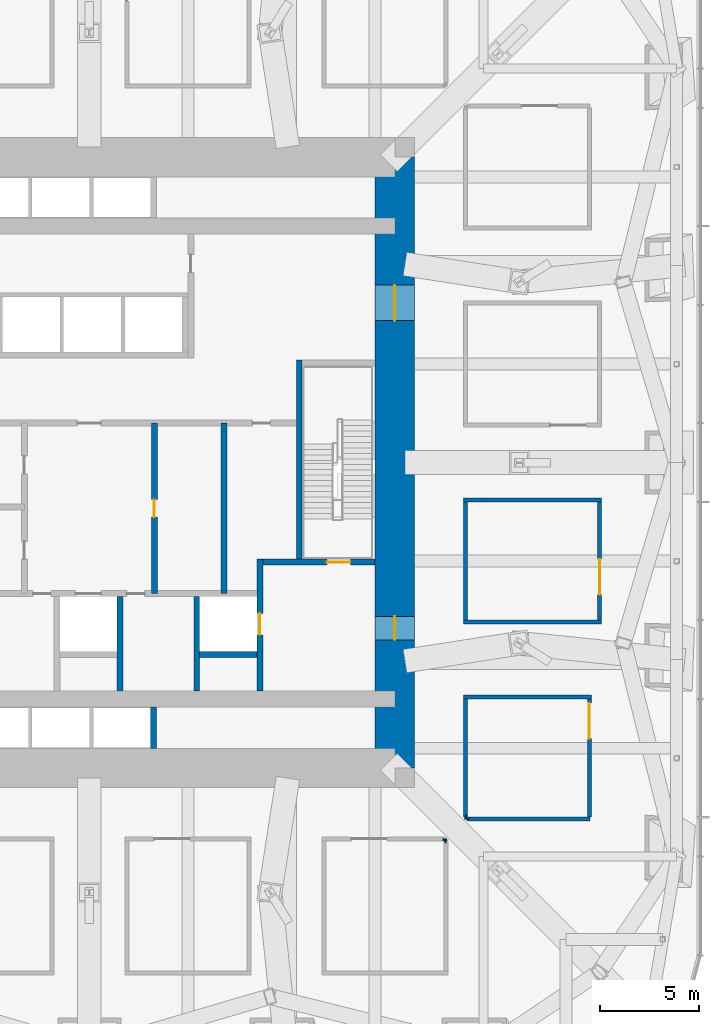
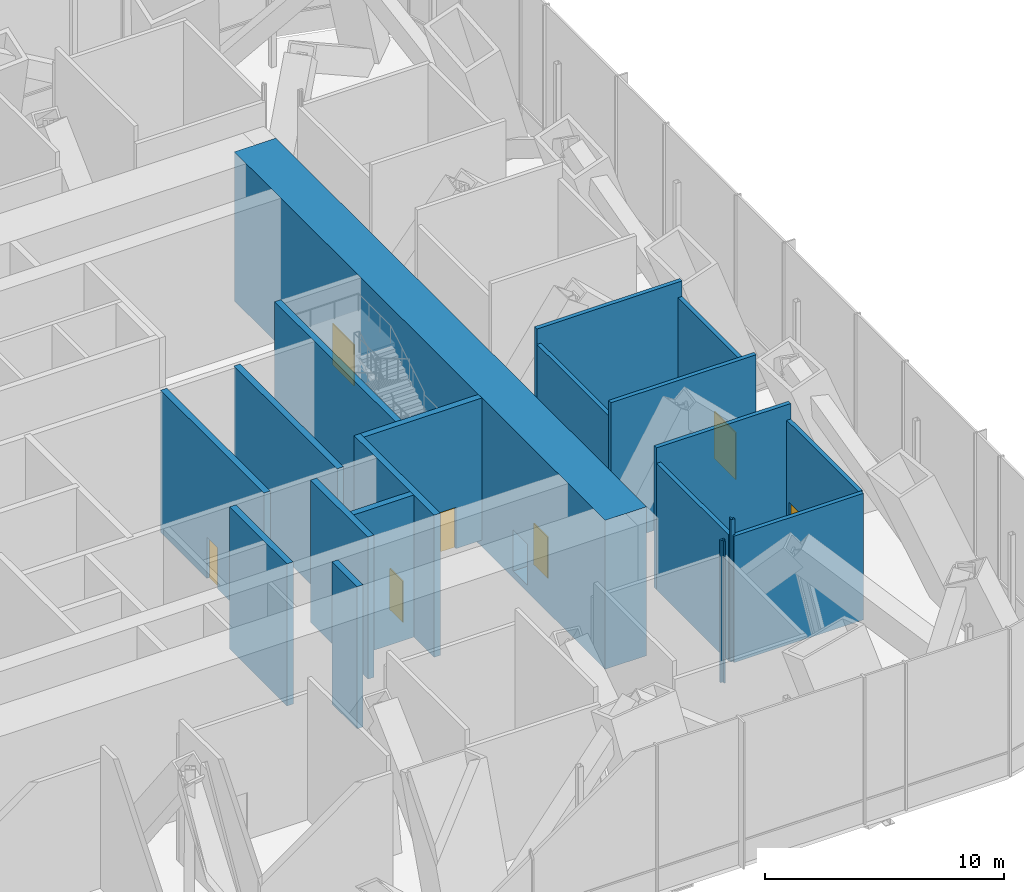
# One storey, part 14 of 20: 22 walls, 7 doors, 7 openings.
"""IFC4 building model written with IfcOpenShell, lengths in metres."""

import ifcopenshell
import ifcopenshell.guid

model = None  # the IFC model being written
_history = None  # IfcOwnerHistory: only IFC2X3 demands one
_inside = {}  # id of a spatial element -> (the spatial element, [elements in it])
_under = {}  # id of a project, library or spatial element -> (it, [spatial elements below it])
_declared = {}  # id of a project -> (the project, [libraries it declares])
_typed = {}  # id of a type object -> (the type object, [elements of that type])
_made_of = {}  # id of a material, layer set ... -> (it, [elements and type objects made of it])


def new_model(schema):
    """Start an empty IFC model of exactly this schema.

    Asked for "IFC4X3", IfcOpenShell would pick the latest addendum, in which some entities
    have other attributes; the version numbers below select the first issue.
    IFC2X3 requires an IfcOwnerHistory on every rooted entity: one is made here for all.
    """
    global model, _history
    if schema == "IFC4X3":
        model = ifcopenshell.file(schema_version=(4, 3, 0, 0))
    else:
        model = ifcopenshell.file(schema=schema)
    _inside.clear()
    _under.clear()
    _declared.clear()
    _typed.clear()
    _made_of.clear()
    _history = None
    if model.schema == "IFC2X3":
        org = make("IfcOrganization", Name="unknown")
        user = make(
            "IfcPersonAndOrganization",
            ThePerson=make("IfcPerson", FamilyName="unknown"),
            TheOrganization=org,
        )
        app = make(
            "IfcApplication",
            ApplicationDeveloper=org,
            Version="unknown",
            ApplicationFullName="unknown",
            ApplicationIdentifier="unknown",
        )
        _history = make(
            "IfcOwnerHistory",
            OwningUser=user,
            OwningApplication=app,
            ChangeAction="ADDED",
            CreationDate=0,
        )
    return model


def make(cls, **values):
    """One entity of the class cls with the attributes given. An attribute that is None is left unset."""
    return model.create_entity(
        cls, **{name: value for name, value in values.items() if value is not None}
    )


def rooted(cls, **values):
    """An entity with a GlobalId (a new one), such as an element, a storey or a relation."""
    return make(cls, GlobalId=ifcopenshell.guid.new(), OwnerHistory=_history, **values)


def si_unit(unit_type, name, prefix=None):
    """IfcSIUnit, for example si_unit("LENGTHUNIT", "METRE", prefix="MILLI")."""
    return make("IfcSIUnit", UnitType=unit_type, Prefix=prefix, Name=name)


def assignment(units):
    """IfcUnitAssignment: the units of a project."""
    return None if units is None else make("IfcUnitAssignment", Units=units)


def point(xyz):
    """IfcCartesianPoint."""
    return None if xyz is None else make("IfcCartesianPoint", Coordinates=xyz)


def direction(xyz):
    """IfcDirection."""
    return None if xyz is None else make("IfcDirection", DirectionRatios=xyz)


def frame(location, z_axis=None, x_axis=None):
    """IfcAxis2Placement3D, a coordinate frame: its origin and axes. An axis left out is left unset."""
    return make(
        "IfcAxis2Placement3D",
        Location=point(location),
        Axis=direction(z_axis),
        RefDirection=direction(x_axis),
    )


def frame_2d(location, x_axis=None):
    """IfcAxis2Placement2D, a coordinate frame in the plane: its origin and x axis."""
    return make(
        "IfcAxis2Placement2D", Location=point(location), RefDirection=direction(x_axis)
    )


def origin():
    """The frame at (0, 0, 0) with its axes left unset."""
    return frame((0.0, 0.0, 0.0))


def place(relative_to, where):
    """IfcLocalPlacement: puts the frame where relative to a parent placement (None: the world)."""
    return make(
        "IfcLocalPlacement", PlacementRelTo=relative_to, RelativePlacement=where
    )


def context(
    kind, dimensions, precision=None, world=None, true_north=None, identifier=None
):
    """IfcGeometricRepresentationContext, for example the 3D "Model" context."""
    return make(
        "IfcGeometricRepresentationContext",
        ContextIdentifier=identifier,
        ContextType=kind,
        CoordinateSpaceDimension=dimensions,
        Precision=precision,
        WorldCoordinateSystem=world,
        TrueNorth=true_north,
    )


def subcontext(parent, identifier, kind, view, scale=None):
    """IfcGeometricRepresentationSubContext, for example "Body" below "Model"."""
    return make(
        "IfcGeometricRepresentationSubContext",
        ContextIdentifier=identifier,
        ContextType=kind,
        ParentContext=parent,
        TargetScale=scale,
        TargetView=view,
    )


def project(units=None, contexts=None):
    """IfcProject with its units and contexts."""
    return rooted(
        "IfcProject",
        Name="project",
        RepresentationContexts=contexts,
        UnitsInContext=assignment(units),
    )


def spatial(cls, under=None, at=None, **own):
    """A site, building, storey or space (cls), placed at a placement, below another one or the project."""
    s = rooted(cls, ObjectPlacement=at, **own)
    if under is not None:
        _under.setdefault(under.id(), (under, []))[1].append(s)
    return s


def profile(cls, at=None, kind="AREA", **sizes):
    """A parametric profile (cls). Its sizes go by their IFC names, for example OverallWidth=200.0."""
    return make(cls, ProfileType=kind, Position=at, **sizes)


def rectangle(**sizes):
    """IfcRectangleProfileDef."""
    return profile("IfcRectangleProfileDef", **sizes)


def extrude(swept, where, along, depth):
    """IfcExtrudedAreaSolid: the profile swept, set in the frame where, extruded along a direction by depth."""
    return make(
        "IfcExtrudedAreaSolid",
        SweptArea=swept,
        Position=where,
        ExtrudedDirection=direction(along),
        Depth=depth,
    )


def shape(context_of_items, identifier, shape_type, items):
    """IfcShapeRepresentation: the items that make up one representation, for example the "Body"."""
    return make(
        "IfcShapeRepresentation",
        ContextOfItems=context_of_items,
        RepresentationIdentifier=identifier,
        RepresentationType=shape_type,
        Items=items,
    )


def material(Name=None, Category=None):
    """IfcMaterial."""
    return make("IfcMaterial", Name=Name, Category=Category)


def layer(
    of_material, thickness, ventilated=None, Name=None, Category=None, Priority=None
):
    """IfcMaterialLayer: one layer of a wall or slab, of a material (None: an air gap)."""
    return make(
        "IfcMaterialLayer",
        Material=of_material,
        LayerThickness=thickness,
        IsVentilated=ventilated,
        Name=Name,
        Category=Category,
        Priority=Priority,
    )


def layer_set(layers, Name=None):
    """IfcMaterialLayerSet."""
    return make("IfcMaterialLayerSet", MaterialLayers=layers, LayerSetName=Name)


def made_of(thing, what):
    """Note that an element or type object is made of a material, layer set ...; save() writes the relation."""
    if what is not None:
        _made_of.setdefault(what.id(), (what, []))[1].append(thing)
    return thing


def type_object(cls, material=None, **own):
    """A type object (cls), such as IfcWallType, which elements share."""
    return made_of(rooted(cls, **own), material)


def element(
    cls,
    number,
    at=None,
    inside=None,
    cuts=None,
    type_object=None,
    material=None,
    context=None,
    identifier="Body",
    shape_type=None,
    held_by="IfcProductDefinitionShape",
    body=None,
    shapes=None,
    **own,
):
    """One element of the class cls, such as IfcWall. Its Tag is "e" and its number.

    at: its placement. inside: the storey or other place that contains it. cuts: it is an
    opening in that element (IfcRelVoidsElement). A single representation is given by context,
    identifier, shape_type and body (its items); several are given by shapes. held_by: the class
    of the entity that holds the representations. save() writes the other relations.
    """
    e = rooted(cls, Tag="e%d" % number, ObjectPlacement=at, **own)
    if body is not None:
        shapes = [shape(context, identifier, shape_type, body)]
    if shapes is not None:
        e.Representation = make(held_by, Representations=shapes)
    if inside is not None:
        _inside.setdefault(inside.id(), (inside, []))[1].append(e)
    if cuts is not None:
        rooted(
            "IfcRelVoidsElement", RelatingBuildingElement=cuts, RelatedOpeningElement=e
        )
    if type_object is not None:
        _typed.setdefault(type_object.id(), (type_object, []))[1].append(e)
    return made_of(e, material)


def fill(opening, filler):
    """IfcRelFillsElement: the door or window that sits in an opening."""
    return rooted(
        "IfcRelFillsElement",
        RelatingOpeningElement=opening,
        RelatedBuildingElement=filler,
    )


def aggregate(whole, parts):
    """IfcRelAggregates: a whole, such as a stair, and the parts it consists of."""
    return rooted("IfcRelAggregates", RelatingObject=whole, RelatedObjects=parts)


def save(model, path):
    """Write the relations noted so far, then the file.

    IfcRelAggregates (storeys below a building ...), IfcRelContainedInSpatialStructure (elements
    in a storey), IfcRelDefinesByType, IfcRelAssociatesMaterial and IfcRelDeclares: one each for
    every whole, place, type object, material and project.
    """
    for whole, parts in _under.values():
        aggregate(whole, parts)
    for where, things in _inside.values():
        rooted(
            "IfcRelContainedInSpatialStructure",
            RelatedElements=things,
            RelatingStructure=where,
        )
    for kind, things in _typed.values():
        rooted("IfcRelDefinesByType", RelatedObjects=things, RelatingType=kind)
    for what, things in _made_of.values():
        rooted("IfcRelAssociatesMaterial", RelatedObjects=things, RelatingMaterial=what)
    for by, libraries in _declared.values():
        rooted("IfcRelDeclares", RelatingContext=by, RelatedDefinitions=libraries)
    model.write(path)


model = new_model("IFC4")

# Units and contexts
model_context = context("Model", 3, precision=1e-05, world=origin(), true_north=direction((0.0, 1.0)))
body_context = subcontext(model_context, "Body", "Model", "MODEL_VIEW")
ifc_project = project(units=[si_unit("LENGTHUNIT", "METRE"), si_unit("AREAUNIT", "SQUARE_METRE"), si_unit("VOLUMEUNIT", "CUBIC_METRE"), si_unit("PLANEANGLEUNIT", "RADIAN"), si_unit("MASSUNIT", "GRAM", prefix="KILO")], contexts=[model_context])

# Site, building, storey
site_placement = place(None, origin())
site = spatial("IfcSite", under=ifc_project, at=site_placement, CompositionType="ELEMENT")
building_placement = place(site_placement, origin())
building = spatial("IfcBuilding", under=site, at=building_placement, Name="Khuree Lantern Residences", CompositionType="ELEMENT")
storey_placement = place(building_placement, frame((0.0, 0.0, 99.75)))
storey = spatial("IfcBuildingStorey", under=building, at=storey_placement, Name="L25", CompositionType="ELEMENT", Elevation=99.75)

# Wall, opening, door
ifc_material_1 = material(Name="Dense concrete blockwork", Category="masonry")
ifc_layer_1 = layer(ifc_material_1, 0.300048828125)
ifc_layer_set_1 = layer_set([ifc_layer_1], Name="CORE PARTITION WALL CPW300 EI 120")
wall_type_1 = type_object("IfcWallType", Name="CORE PARTITION WALL CPW300 EI 120", PredefinedType="PARTITIONING", material=ifc_layer_set_1)
wall_1_placement = place(storey_placement, frame((8.64990234375, -11.60009765625, 0.0), z_axis=(0.0, 0.0, 1.0), x_axis=(0.0, 1.0, 0.0)))
wall_1 = element("IfcWall", 1, at=wall_1_placement, inside=storey, type_object=wall_type_1, Name="L25 CORE WALL FL2E", PredefinedType="PARTITIONING", context=body_context, shape_type="SweptSolid", body=[
    extrude(rectangle(XDim=6.7001953125, YDim=0.300048828125, at=frame_2d((3.35009765625, 0.0))), origin(), (0.0, 0.0, 1.0), 7.25),
])
opening_1_placement = place(wall_1_placement, frame((2.85009765625, 0.0, 0.0)))
opening_1 = element("IfcOpeningElement", 2, at=opening_1_placement, cuts=wall_1, Name="Opening 25-008", PredefinedType="OPENING", context=body_context, shape_type="SweptSolid", body=[
    extrude(rectangle(XDim=1.10009765625, YDim=2.10009765625, at=frame_2d((0.550048828125, 1.050048828125))), frame((0.0, 0.16015625, 0.0), z_axis=(0.0, -1.0, 0.0), x_axis=(1.0, 0.0, 0.0)), (0.0, 0.0, 1.0), 0.320068359375),
])
ifc_material_2 = material(Name="Stainless steel lift landing door", Category="steel")
door_type_1 = type_object("IfcDoorType", Name="LIFT LANDING DOOR 1100X2100 E 120", OperationType="DOUBLE_DOOR_SLIDING", PredefinedType="DOOR", material=ifc_material_2)
door_1_placement = place(opening_1_placement, origin())
door_1 = element("IfcDoor", 3, at=door_1_placement, inside=storey, type_object=door_type_1, Name="Landing door FL2 25-008", OperationType="DOUBLE_DOOR_SLIDING", OverallHeight=2.10009765625, OverallWidth=1.10009765625, PredefinedType="DOOR", context=body_context, shape_type="SweptSolid", body=[
    extrude(rectangle(XDim=1.10009765625, YDim=2.10009765625, at=frame_2d((0.550048828125, 1.050048828125))), frame((0.0, 0.02490234375, 0.0), z_axis=(0.0, -1.0, 0.0), x_axis=(1.0, 0.0, 0.0)), (0.0, 0.0, 1.0), 0.050048828125),
])
fill(opening_1, door_1)

# Walls
for number, where, z_axis, x_axis, name in (
    (4, (1.550048828125, -11.60009765625, 0.0), (0.0, 0.0, 1.0), (0.0, 1.0, 0.0), "L25 CORE WALL SL1E"),
    (5, (5.449951171875, -11.60009765625, 0.0), (0.0, 0.0, 1.0), (0.0, 1.0, 0.0), "L25 CORE WALL FL2W"),
):
    element("IfcWall", number, at=place(storey_placement, frame(where, z_axis=z_axis, x_axis=x_axis)), inside=storey, type_object=wall_type_1, Name=name, PredefinedType="PARTITIONING", context=body_context, shape_type="SweptSolid", body=[
        extrude(rectangle(XDim=4.800048828125, YDim=0.300048828125, at=frame_2d((2.39990234375, 0.0))), origin(), (0.0, 0.0, 1.0), 7.25),
    ])
wall_2_placement = place(storey_placement, frame((5.60009765625, -9.75, 0.0), z_axis=(0.0, 0.0, 1.0), x_axis=(1.0, 0.0, 0.0)))
element("IfcWall", 6, at=wall_2_placement, inside=storey, type_object=wall_type_1, Name="L25 CORE WALL FL2S", PredefinedType="PARTITIONING", context=body_context, shape_type="SweptSolid", body=[
    extrude(rectangle(XDim=2.89990234375, YDim=0.300048828125, at=frame_2d((1.449951171875, 0.0))), origin(), (0.0, 0.0, 1.0), 7.25),
])
wall_3_placement = place(storey_placement, frame((3.25, -14.5, 0.0), z_axis=(0.0, 0.0, 1.0), x_axis=(0.0, 1.0, 0.0)))
element("IfcWall", 7, at=wall_3_placement, inside=storey, type_object=wall_type_1, Name="L25 CORE WALL PME", PredefinedType="PARTITIONING", context=body_context, shape_type="SweptSolid", body=[
    extrude(rectangle(XDim=2.10009765625, YDim=0.300048828125, at=frame_2d((1.050048828125, 0.0))), origin(), (0.0, 0.0, 1.0), 7.25),
])

# Wall, opening, door
wall_4_placement = place(storey_placement, frame((3.300048828125, -6.64990234375, 0.0), z_axis=(0.0, 0.0, 1.0), x_axis=(0.0, 1.0, 0.0)))
wall_4 = element("IfcWall", 8, at=wall_4_placement, inside=storey, type_object=wall_type_1, Name="L25 CORE WALL SVE", PredefinedType="PARTITIONING", context=body_context, shape_type="SweptSolid", body=[
    extrude(rectangle(XDim=8.64990234375, YDim=0.300048828125, at=frame_2d((4.324951171875, 0.0))), origin(), (0.0, 0.0, 1.0), 7.25),
])
opening_2_placement = place(wall_4_placement, frame((3.875, 0.0, 0.0)))
opening_2 = element("IfcOpeningElement", 9, at=opening_2_placement, cuts=wall_4, Name="Opening 25-015", PredefinedType="OPENING", context=body_context, shape_type="SweptSolid", body=[
    extrude(rectangle(XDim=0.89990234375, YDim=2.10009765625, at=frame_2d((0.449951171875, 1.050048828125))), frame((0.0, 0.16015625, 0.0), z_axis=(0.0, -1.0, 0.0), x_axis=(1.0, 0.0, 0.0)), (0.0, 0.0, 1.0), 0.320068359375),
])
ifc_material_3 = material(Name="Timber door leaf in hardwood frame", Category="wood")
door_type_2 = type_object("IfcDoorType", Name="DOOR 900X2100", OperationType="SINGLE_SWING_LEFT", PredefinedType="DOOR", material=ifc_material_3)
door_2_placement = place(opening_2_placement, origin())
door_2 = element("IfcDoor", 10, at=door_2_placement, inside=storey, type_object=door_type_2, Name="Store door 25-015", OperationType="SINGLE_SWING_LEFT", OverallHeight=2.10009765625, OverallWidth=0.89990234375, PredefinedType="DOOR", context=body_context, shape_type="SweptSolid", body=[
    extrude(rectangle(XDim=0.89990234375, YDim=2.10009765625, at=frame_2d((0.449951171875, 1.050048828125))), frame((0.0, 0.02490234375, 0.0), z_axis=(0.0, -1.0, 0.0), x_axis=(1.0, 0.0, 0.0)), (0.0, 0.0, 1.0), 0.050048828125),
])
fill(opening_2, door_2)

# Wall
wall_5_placement = place(storey_placement, frame((6.833984375, -6.64990234375, 0.0), z_axis=(0.0, 0.0, 1.0), x_axis=(0.0, 1.0, 0.0)))
element("IfcWall", 11, at=wall_5_placement, inside=storey, type_object=wall_type_1, Name="L25 CORE WALL EV", PredefinedType="PARTITIONING", context=body_context, shape_type="SweptSolid", body=[
    extrude(rectangle(XDim=8.64990234375, YDim=0.300048828125, at=frame_2d((4.324951171875, 0.0))), origin(), (0.0, 0.0, 1.0), 7.25),
])

# Wall, openings, doors
ifc_material_4 = material(Name="Concrete C70/85", Category="concrete")
ifc_layer_2 = layer(ifc_material_4, 2.0)
ifc_layer_set_2 = layer_set([ifc_layer_2], Name="CW2000-C70 CORE WALL C70 2000")
wall_type_2 = type_object("IfcWallType", Name="CW2000-C70 CORE WALL C70 2000", PredefinedType="SHEAR", material=ifc_layer_set_2)
wall_6_placement = place(storey_placement, frame((15.5, -15.5, -0.35009765625), z_axis=(0.0, 0.0, 1.0), x_axis=(0.0, 1.0, 0.0)))
wall_6 = element("IfcWall", 12, at=wall_6_placement, inside=storey, type_object=wall_type_2, Name="Core wall E", PredefinedType="SHEAR", context=body_context, shape_type="SweptSolid", body=[
    extrude(rectangle(XDim=31.0, YDim=2.0, at=frame_2d((15.5, 0.0))), origin(), (0.0, 0.0, 1.0), 7.60009765625),
])
opening_3_placement = place(wall_6_placement, frame((6.5, 0.0, 0.35009765625)))
opening_3 = element("IfcOpeningElement", 13, at=opening_3_placement, cuts=wall_6, Name="Opening 25-005", PredefinedType="OPENING", context=body_context, shape_type="SweptSolid", body=[
    extrude(rectangle(XDim=1.199951171875, YDim=2.10009765625, at=frame_2d((0.60009765625, 1.050048828125))), frame((0.0, 1.010009765625, 0.0), z_axis=(0.0, -1.0, 0.0), x_axis=(1.0, 0.0, 0.0)), (0.0, 0.0, 1.0), 2.02001953125),
])
opening_4_placement = place(wall_6_placement, frame((22.699951171875, 0.0, 0.35009765625)))
opening_4 = element("IfcOpeningElement", 14, at=opening_4_placement, cuts=wall_6, Name="Opening 25-006", PredefinedType="OPENING", context=body_context, shape_type="SweptSolid", body=[
    extrude(rectangle(XDim=1.800048828125, YDim=2.10009765625, at=frame_2d((0.89990234375, 1.050048828125))), frame((0.0, 1.010009765625, 0.0), z_axis=(0.0, -1.0, 0.0), x_axis=(1.0, 0.0, 0.0)), (0.0, 0.0, 1.0), 2.02001953125),
])
ifc_material_5 = material(Name="Steel door leaf in steel frame", Category="steel")
door_type_3 = type_object("IfcDoorType", Name="LOBBY DOOR 1200X2100 EI 120", OperationType="SINGLE_SWING_LEFT", PredefinedType="DOOR", material=ifc_material_5)
door_3_placement = place(opening_3_placement, origin())
door_3 = element("IfcDoor", 15, at=door_3_placement, inside=storey, type_object=door_type_3, Name="Firefighting lobby door 25-005", OperationType="SINGLE_SWING_LEFT", OverallHeight=2.10009765625, OverallWidth=1.199951171875, PredefinedType="DOOR", context=body_context, shape_type="SweptSolid", body=[
    extrude(rectangle(XDim=1.199951171875, YDim=2.10009765625, at=frame_2d((0.60009765625, 1.050048828125))), frame((0.0, 0.02490234375, 0.0), z_axis=(0.0, -1.0, 0.0), x_axis=(1.0, 0.0, 0.0)), (0.0, 0.0, 1.0), 0.050048828125),
])
fill(opening_3, door_3)
door_type_4 = type_object("IfcDoorType", Name="LOBBY DOUBLE DOOR 1800X2100 EI 60", OperationType="DOUBLE_DOOR_SINGLE_SWING", PredefinedType="DOOR", material=ifc_material_5)
door_4_placement = place(opening_4_placement, origin())
door_4 = element("IfcDoor", 16, at=door_4_placement, inside=storey, type_object=door_type_4, Name="Lift lobby door 25-006", OperationType="DOUBLE_DOOR_SINGLE_SWING", OverallHeight=2.10009765625, OverallWidth=1.800048828125, PredefinedType="DOOR", context=body_context, shape_type="SweptSolid", body=[
    extrude(rectangle(XDim=1.800048828125, YDim=2.10009765625, at=frame_2d((0.89990234375, 1.050048828125))), frame((0.0, 0.02490234375, 0.0), z_axis=(0.0, -1.0, 0.0), x_axis=(1.0, 0.0, 0.0)), (0.0, 0.0, 1.0), 0.050048828125),
])
fill(opening_4, door_4)

# Walls
ifc_layer_3 = layer(ifc_material_1, 0.199951171875)
ifc_layer_set_3 = layer_set([ifc_layer_3], Name="FIRE-RATED ROOM WALL FRW200 EI 120")
wall_type_3 = type_object("IfcWallType", Name="FIRE-RATED ROOM WALL FRW200 EI 120", PredefinedType="SOLIDWALL", material=ifc_layer_set_3)
wall_7_placement = place(storey_placement, frame((18.039306640625, -19.199951171875, 0.0), z_axis=(0.0, 0.0, 1.0), x_axis=(1.0, 0.0, 0.0)))
element("IfcWall", 17, at=wall_7_placement, inside=storey, type_object=wall_type_3, Name="L25 ROOM WALL 14", PredefinedType="SOLIDWALL", context=body_context, shape_type="SweptSolid", body=[
    extrude(rectangle(XDim=0.060791015625, YDim=0.199951171875, at=frame_2d((0.0302734375, 0.0))), origin(), (0.0, 0.0, 1.0), 7.25),
])
wall_8_placement = place(storey_placement, frame((18.039306640625, -19.10009765625, 0.0), z_axis=(0.0, 0.0, 1.0), x_axis=(0.0, -1.0, 0.0)))
element("IfcWall", 18, at=wall_8_placement, inside=storey, type_object=wall_type_3, Name="L25 ROOM WALL 20", PredefinedType="SOLIDWALL", context=body_context, shape_type="SweptSolid", body=[
    extrude(rectangle(XDim=0.099853515625, YDim=0.199951171875, at=frame_2d((0.0498046875, 0.0))), origin(), (0.0, 0.0, 1.0), 7.25),
])
wall_9_placement = place(storey_placement, frame((19.160888671875, -18.10009765625, 0.0), z_axis=(0.0, 0.0, 1.0), x_axis=(1.0, 0.0, 0.0)))
element("IfcWall", 19, at=wall_9_placement, inside=storey, type_object=wall_type_3, Name="L25 ROOM WALL 23", PredefinedType="SOLIDWALL", context=body_context, shape_type="SweptSolid", body=[
    extrude(rectangle(XDim=6.239013671875, YDim=0.199951171875, at=frame_2d((3.11962890625, 0.0))), origin(), (0.0, 0.0, 1.0), 6.449951171875),
])
wall_10_placement = place(storey_placement, frame((19.160888671875, -18.10009765625, 0.0), z_axis=(0.0, 0.0, 1.0), x_axis=(0.0, 1.0, 0.0)))
element("IfcWall", 20, at=wall_10_placement, inside=storey, type_object=wall_type_3, Name="L25 ROOM WALL 24", PredefinedType="SOLIDWALL", context=body_context, shape_type="SweptSolid", body=[
    extrude(rectangle(XDim=0.10009765625, YDim=0.199951171875, at=frame_2d((0.050048828125, 0.0))), origin(), (0.0, 0.0, 1.0), 7.25),
])
wall_11_placement = place(storey_placement, frame((19.10009765625, -18.0, 0.0), z_axis=(0.0, 0.0, 1.0), x_axis=(0.0, 1.0, 0.0)))
element("IfcWall", 21, at=wall_11_placement, inside=storey, type_object=wall_type_3, Name="L25 ROOM WALL 28", PredefinedType="SOLIDWALL", context=body_context, shape_type="SweptSolid", body=[
    extrude(rectangle(XDim=6.0, YDim=0.199951171875, at=frame_2d((3.0, 0.0))), origin(), (0.0, 0.0, 1.0), 6.4599609375),
])
wall_12_placement = place(storey_placement, frame((19.160888671875, -18.0, 0.0), z_axis=(0.0, 0.0, 1.0), x_axis=(-1.0, 0.0, 0.0)))
element("IfcWall", 22, at=wall_12_placement, inside=storey, type_object=wall_type_3, Name="L25 ROOM WALL 29", PredefinedType="SOLIDWALL", context=body_context, shape_type="SweptSolid", body=[
    extrude(rectangle(XDim=0.060791015625, YDim=0.199951171875, at=frame_2d((0.0302734375, 0.0))), origin(), (0.0, 0.0, 1.0), 7.25),
])

# Wall, opening, door
wall_13_placement = place(storey_placement, frame((25.3798828125, -18.0, 0.0), z_axis=(0.0, 0.0, 1.0), x_axis=(0.0, 1.0, 0.0)))
wall_13 = element("IfcWall", 23, at=wall_13_placement, inside=storey, type_object=wall_type_3, Name="L25 ROOM WALL 30", PredefinedType="SOLIDWALL", context=body_context, shape_type="SweptSolid", body=[
    extrude(rectangle(XDim=6.0, YDim=0.199951171875, at=frame_2d((3.0, 0.0))), origin(), (0.0, 0.0, 1.0), 6.4599609375),
])
opening_5_placement = place(wall_13_placement, frame((3.991943359375, 0.0, 0.0)))
opening_5 = element("IfcOpeningElement", 24, at=opening_5_placement, cuts=wall_13, Name="Opening 25-020", PredefinedType="OPENING", context=body_context, shape_type="SweptSolid", body=[
    extrude(rectangle(XDim=1.800048828125, YDim=2.39990234375, at=frame_2d((0.89990234375, 1.199951171875))), frame((0.0, 0.10986328125, 0.0), z_axis=(0.0, -1.0, 0.0), x_axis=(1.0, 0.0, 0.0)), (0.0, 0.0, 1.0), 0.219970703125),
])
door_type_5 = type_object("IfcDoorType", Name="PLANT ROOM DOOR 1800X2400 EI 60", OperationType="DOUBLE_DOOR_SINGLE_SWING", PredefinedType="DOOR", material=ifc_material_5)
door_5_placement = place(opening_5_placement, origin())
door_5 = element("IfcDoor", 25, at=door_5_placement, inside=storey, type_object=door_type_5, Name="Electrical switch room door 25-020", OperationType="DOUBLE_DOOR_SINGLE_SWING", OverallHeight=2.39990234375, OverallWidth=1.800048828125, PredefinedType="DOOR", context=body_context, shape_type="SweptSolid", body=[
    extrude(rectangle(XDim=1.800048828125, YDim=2.39990234375, at=frame_2d((0.89990234375, 1.199951171875))), frame((0.0, 0.02490234375, 0.0), z_axis=(0.0, -1.0, 0.0), x_axis=(1.0, 0.0, 0.0)), (0.0, 0.0, 1.0), 0.050048828125),
])
fill(opening_5, door_5)

# Walls
wall_14_placement = place(storey_placement, frame((19.0, -11.89990234375, 0.0), z_axis=(0.0, 0.0, 1.0), x_axis=(1.0, 0.0, 0.0)))
element("IfcWall", 26, at=wall_14_placement, inside=storey, type_object=wall_type_3, Name="L25 ROOM WALL 32", PredefinedType="SOLIDWALL", context=body_context, shape_type="SweptSolid", body=[
    extrude(rectangle(XDim=6.47998046875, YDim=0.199951171875, at=frame_2d((3.239990234375, 0.0))), origin(), (0.0, 0.0, 1.0), 7.25),
])
wall_15_placement = place(storey_placement, frame((19.0, -8.10009765625, 0.0), z_axis=(0.0, 0.0, 1.0), x_axis=(1.0, 0.0, 0.0)))
element("IfcWall", 27, at=wall_15_placement, inside=storey, type_object=wall_type_3, Name="L25 ROOM WALL 34", PredefinedType="SOLIDWALL", context=body_context, shape_type="SweptSolid", body=[
    extrude(rectangle(XDim=7.0, YDim=0.199951171875, at=frame_2d((3.5, 0.0))), origin(), (0.0, 0.0, 1.0), 7.25),
])
wall_16_placement = place(storey_placement, frame((19.10009765625, -8.0, 0.0), z_axis=(0.0, 0.0, 1.0), x_axis=(0.0, 1.0, 0.0)))
element("IfcWall", 28, at=wall_16_placement, inside=storey, type_object=wall_type_3, Name="L25 ROOM WALL 37", PredefinedType="SOLIDWALL", context=body_context, shape_type="SweptSolid", body=[
    extrude(rectangle(XDim=6.0, YDim=0.199951171875, at=frame_2d((3.0, 0.0))), origin(), (0.0, 0.0, 1.0), 6.4599609375),
])

# Wall, opening, door
wall_17_placement = place(storey_placement, frame((25.89990234375, -8.0, 0.0), z_axis=(0.0, 0.0, 1.0), x_axis=(0.0, 1.0, 0.0)))
wall_17 = element("IfcWall", 29, at=wall_17_placement, inside=storey, type_object=wall_type_3, Name="L25 ROOM WALL 38", PredefinedType="SOLIDWALL", context=body_context, shape_type="SweptSolid", body=[
    extrude(rectangle(XDim=6.0, YDim=0.199951171875, at=frame_2d((3.0, 0.0))), origin(), (0.0, 0.0, 1.0), 6.4599609375),
])
opening_6_placement = place(wall_17_placement, frame((1.300048828125, 0.0, 0.0)))
opening_6 = element("IfcOpeningElement", 30, at=opening_6_placement, cuts=wall_17, Name="Opening 25-018", PredefinedType="OPENING", context=body_context, shape_type="SweptSolid", body=[
    extrude(rectangle(XDim=1.800048828125, YDim=2.39990234375, at=frame_2d((0.89990234375, 1.199951171875))), frame((0.0, 0.10986328125, 0.0), z_axis=(0.0, -1.0, 0.0), x_axis=(1.0, 0.0, 0.0)), (0.0, 0.0, 1.0), 0.219970703125),
])
door_6_placement = place(opening_6_placement, origin())
door_6 = element("IfcDoor", 31, at=door_6_placement, inside=storey, type_object=door_type_5, Name="Heat exchanger plant room door 25-018", OperationType="DOUBLE_DOOR_SINGLE_SWING", OverallHeight=2.39990234375, OverallWidth=1.800048828125, PredefinedType="DOOR", context=body_context, shape_type="SweptSolid", body=[
    extrude(rectangle(XDim=1.800048828125, YDim=2.39990234375, at=frame_2d((0.89990234375, 1.199951171875))), frame((0.0, 0.02490234375, 0.0), z_axis=(0.0, -1.0, 0.0), x_axis=(1.0, 0.0, 0.0)), (0.0, 0.0, 1.0), 0.050048828125),
])
fill(opening_6, door_6)

# Walls
wall_18_placement = place(storey_placement, frame((19.0, -1.89990234375, 0.0), z_axis=(0.0, 0.0, 1.0), x_axis=(1.0, 0.0, 0.0)))
element("IfcWall", 32, at=wall_18_placement, inside=storey, type_object=wall_type_3, Name="L25 ROOM WALL 40", PredefinedType="SOLIDWALL", context=body_context, shape_type="SweptSolid", body=[
    extrude(rectangle(XDim=7.0, YDim=0.199951171875, at=frame_2d((3.5, 0.0))), origin(), (0.0, 0.0, 1.0), 7.25),
])
ifc_material_6 = material(Name="Concrete C50/60", Category="concrete")
ifc_layer_4 = layer(ifc_material_6, 0.300048828125)
ifc_layer_set_4 = layer_set([ifc_layer_4], Name="STAIR WALL SRW300 C50/60 REI 240")
wall_type_4 = type_object("IfcWallType", Name="STAIR WALL SRW300 C50/60 REI 240", PredefinedType="SOLIDWALL", material=ifc_layer_set_4)
wall_19_placement = place(storey_placement, frame((10.64990234375, -4.89990234375, 0.0), z_axis=(0.0, 0.0, 1.0), x_axis=(0.0, 1.0, 0.0)))
element("IfcWall", 33, at=wall_19_placement, inside=storey, type_object=wall_type_4, Name="L25 STAIR WALL ST2E", PredefinedType="SOLIDWALL", context=body_context, shape_type="SweptSolid", body=[
    extrude(rectangle(XDim=10.099853515625, YDim=0.300048828125, at=frame_2d((5.0498046875, 0.0))), origin(), (0.0, 0.0, 1.0), 7.25),
])

# Wall, opening, door
wall_20_placement = place(storey_placement, frame((14.5, -5.050048828125, 0.0), z_axis=(0.0, 0.0, 1.0), x_axis=(-1.0, 0.0, 0.0)))
wall_20 = element("IfcWall", 34, at=wall_20_placement, inside=storey, type_object=wall_type_4, Name="L25 STAIR WALL ST2S", PredefinedType="SOLIDWALL", context=body_context, shape_type="SweptSolid", body=[
    extrude(rectangle(XDim=5.699951171875, YDim=0.300048828125, at=frame_2d((2.85009765625, 0.0))), origin(), (0.0, 0.0, 1.0), 7.25),
])
opening_7_placement = place(wall_20_placement, frame((1.25, 0.0, 0.0)))
opening_7 = element("IfcOpeningElement", 35, at=opening_7_placement, cuts=wall_20, Name="Opening 25-004", PredefinedType="OPENING", context=body_context, shape_type="SweptSolid", body=[
    extrude(rectangle(XDim=1.199951171875, YDim=2.10009765625, at=frame_2d((0.60009765625, 1.050048828125))), frame((0.0, 0.16015625, 0.0), z_axis=(0.0, -1.0, 0.0), x_axis=(1.0, 0.0, 0.0)), (0.0, 0.0, 1.0), 0.320068359375),
])
door_type_6 = type_object("IfcDoorType", Name="STAIR DOOR 1200X2100 EI 120", OperationType="SINGLE_SWING_LEFT", PredefinedType="DOOR", material=ifc_material_5)
door_7_placement = place(opening_7_placement, origin())
door_7 = element("IfcDoor", 36, at=door_7_placement, inside=storey, type_object=door_type_6, Name="Stair ST2 door 25-004", OperationType="SINGLE_SWING_LEFT", OverallHeight=2.10009765625, OverallWidth=1.199951171875, PredefinedType="DOOR", context=body_context, shape_type="SweptSolid", body=[
    extrude(rectangle(XDim=1.199951171875, YDim=2.10009765625, at=frame_2d((0.60009765625, 1.050048828125))), frame((0.0, 0.02490234375, 0.0), z_axis=(0.0, -1.0, 0.0), x_axis=(1.0, 0.0, 0.0)), (0.0, 0.0, 1.0), 0.050048828125),
])
fill(opening_7, door_7)

save(model, "model.ifc")
